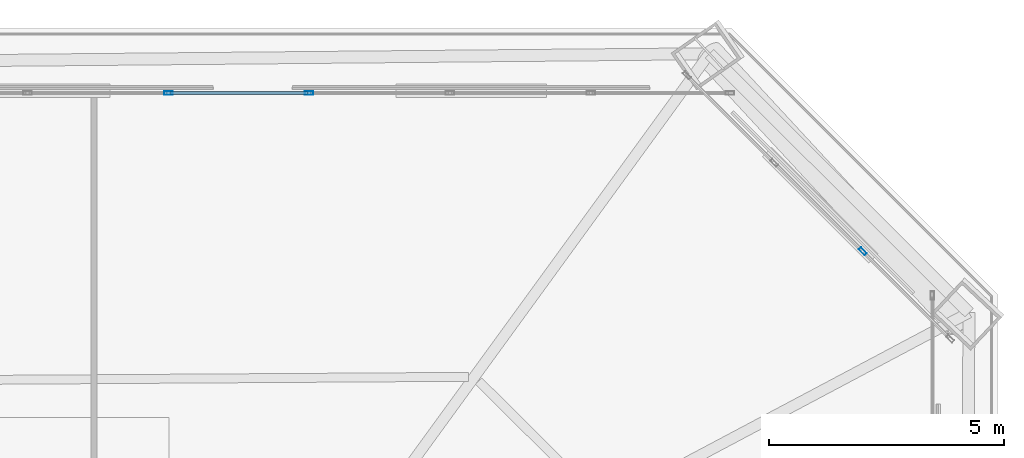
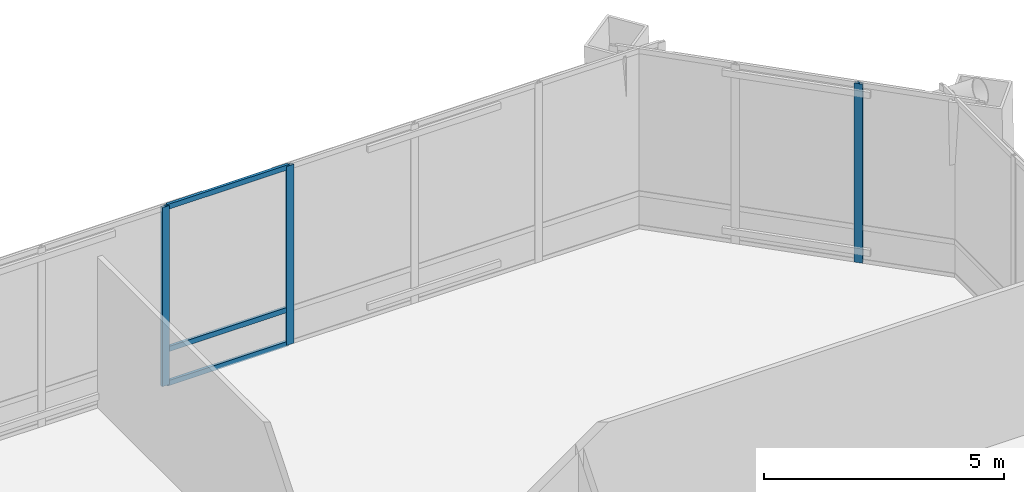
# One storey, part 37 of 48: 6 members, 2 elements without a shape of their own.
"""IFC4 building model written with IfcOpenShell, lengths in metres."""

from ifc_helpers import new_model, si_unit, direction, frame, origin, origin_2d, place, context, subcontext, project, spatial, hollow_rectangle, extrude, material, layer, layer_set, material_profile, profile_set, type_object, element, aggregate, save


model = new_model("IFC4")

# Units and contexts
model_context = context("Model", 3, precision=1e-05, world=origin(), true_north=direction((0.0, 1.0)))
body_context = subcontext(model_context, "Body", "Model", "MODEL_VIEW")
ifc_project = project(units=[si_unit("LENGTHUNIT", "METRE"), si_unit("AREAUNIT", "SQUARE_METRE"), si_unit("VOLUMEUNIT", "CUBIC_METRE"), si_unit("PLANEANGLEUNIT", "RADIAN"), si_unit("MASSUNIT", "GRAM", prefix="KILO")], contexts=[model_context])

# Site, building, storey
site_placement = place(None, origin())
site = spatial("IfcSite", under=ifc_project, at=site_placement, CompositionType="ELEMENT")
building_placement = place(site_placement, origin())
building = spatial("IfcBuilding", under=site, at=building_placement, Name="Caelvoria Tower", CompositionType="ELEMENT")
storey_placement = place(building_placement, frame((0.0, 0.0, 90.39990234375)))
storey = spatial("IfcBuildingStorey", under=building, at=storey_placement, Name="L23", CompositionType="ELEMENT", Elevation=90.39990234375)

# Curtain wall, member
ifc_material_1 = material(Name="Anodised Bronze Aluminium and Low-E Glass", Category="aluminium")
ifc_layer = layer(ifc_material_1, 0.2099609375, Name="Anodised Bronze Aluminium and Low-E Glass")
ifc_layer_set = layer_set([ifc_layer], Name="CW System 3 Sky Lobby Double-Height Acoustic Facade - Anodised Bronze Aluminium and Low-E Glass")
curtain_wall_type = type_object("IfcCurtainWallType", Name="CW System 3 Sky Lobby Double-Height Acoustic Facade", PredefinedType="NOTDEFINED", material=ifc_layer_set)
curtain_wall_1_placement = place(storey_placement, origin())
curtain_wall_1 = element("IfcCurtainWall", 1, at=curtain_wall_1_placement, inside=storey, type_object=curtain_wall_type, Name="CW-03 Curtain Wall L23-E3", PredefinedType="NOTDEFINED")
ifc_material_2 = material(Name="Anodised Bronze Architectural Aluminium", Category="aluminium")
ifc_material_profile_1 = material_profile(ifc_material_2, hollow_rectangle(XDim=0.070068359375, YDim=0.179931640625, WallThickness=0.00390625, at=origin_2d()), Name="Anodised Bronze Architectural Aluminium")
ifc_profile_set_1 = profile_set([ifc_material_profile_1], Name="CW_MULL_70X180 - Anodised Bronze Architectural Aluminium")
member_type_1 = type_object("IfcMemberType", Name="Curtain Wall Mullion 70x180 Bronze Aluminium", PredefinedType="MULLION", material=ifc_profile_set_1)
member_1_placement = place(storey_placement, frame((68.257568359375, 49.540771484375, 0.0), z_axis=(0.0, 0.0, 1.0), x_axis=(-0.707106781187, -0.707106781187, 0.0)))
member_1 = element("IfcMember", 2, at=member_1_placement, type_object=member_type_1, Name="CW-03 mullion 2", PredefinedType="MULLION", context=body_context, shape_type="SweptSolid", body=[
    extrude(hollow_rectangle(XDim=0.070068359375, YDim=0.179931640625, WallThickness=0.00390625, at=origin_2d()), origin(), (0.0, 0.0, 1.0), 4.56005859375),
])
aggregate(curtain_wall_1, [member_1])

# Curtain wall, members
curtain_wall_2_placement = place(storey_placement, origin())
curtain_wall_2 = element("IfcCurtainWall", 3, at=curtain_wall_2_placement, inside=storey, type_object=curtain_wall_type, Name="CW-03 Curtain Wall L23-E4", PredefinedType="NOTDEFINED")
member_2_placement = place(storey_placement, frame((56.482177734375, 52.9033203125, 0.0), z_axis=(0.0, 0.0, 1.0), x_axis=(0.0, -1.0, 0.0)))
member_2 = element("IfcMember", 4, at=member_2_placement, type_object=member_type_1, Name="CW-03 mullion 4", PredefinedType="MULLION", context=body_context, shape_type="SweptSolid", body=[
    extrude(hollow_rectangle(XDim=0.070068359375, YDim=0.179931640625, WallThickness=0.00390625, at=origin_2d()), origin(), (0.0, 0.0, 1.0), 4.56005859375),
])
member_3_placement = place(storey_placement, frame((53.4873046875, 52.9033203125, 0.0), z_axis=(0.0, 0.0, 1.0), x_axis=(0.0, -1.0, 0.0)))
member_3 = element("IfcMember", 5, at=member_3_placement, type_object=member_type_1, Name="CW-03 mullion 5", PredefinedType="MULLION", context=body_context, shape_type="SweptSolid", body=[
    extrude(hollow_rectangle(XDim=0.070068359375, YDim=0.179931640625, WallThickness=0.00390625, at=origin_2d()), origin(), (0.0, 0.0, 1.0), 4.56005859375),
])
ifc_material_profile_2 = material_profile(ifc_material_2, hollow_rectangle(XDim=0.06494140625, YDim=0.1298828125, WallThickness=0.00341796875, at=origin_2d()), Name="Anodised Bronze Architectural Aluminium")
ifc_profile_set_2 = profile_set([ifc_material_profile_2], Name="CW_TRAN_65X130 - Anodised Bronze Architectural Aluminium")
member_type_2 = type_object("IfcMemberType", Name="Curtain Wall Transom 65x130 Bronze Aluminium", PredefinedType="USERDEFINED", material=ifc_profile_set_2)
member_4_placement = place(storey_placement, frame((56.447021484375, 52.9033203125, 0.03271484375), z_axis=(-1.0, 0.0, 0.0), x_axis=(0.0, -1.0, 0.0)))
member_4 = element("IfcMember", 6, at=member_4_placement, type_object=member_type_2, Name="CW-03 transom 4.1", ObjectType="TRANSOM", PredefinedType="USERDEFINED", context=body_context, shape_type="SweptSolid", body=[
    extrude(hollow_rectangle(XDim=0.06494140625, YDim=0.1298828125, WallThickness=0.00341796875, at=origin_2d()), origin(), (0.0, 0.0, 1.0), 2.9248046875),
])
member_5_placement = place(storey_placement, frame((56.447021484375, 52.9033203125, 0.900146484375), z_axis=(-1.0, 0.0, 0.0), x_axis=(0.0, -1.0, 0.0)))
member_5 = element("IfcMember", 7, at=member_5_placement, type_object=member_type_2, Name="CW-03 transom 4.2", ObjectType="TRANSOM", PredefinedType="USERDEFINED", context=body_context, shape_type="SweptSolid", body=[
    extrude(hollow_rectangle(XDim=0.06494140625, YDim=0.1298828125, WallThickness=0.00341796875, at=origin_2d()), origin(), (0.0, 0.0, 1.0), 2.9248046875),
])
member_6_placement = place(storey_placement, frame((56.447021484375, 52.9033203125, 4.527587890625), z_axis=(-1.0, 0.0, 0.0), x_axis=(0.0, -1.0, 0.0)))
member_6 = element("IfcMember", 8, at=member_6_placement, type_object=member_type_2, Name="CW-03 transom 4.3", ObjectType="TRANSOM", PredefinedType="USERDEFINED", context=body_context, shape_type="SweptSolid", body=[
    extrude(hollow_rectangle(XDim=0.06494140625, YDim=0.1298828125, WallThickness=0.00341796875, at=origin_2d()), origin(), (0.0, 0.0, 1.0), 2.9248046875),
])
aggregate(curtain_wall_2, [member_2, member_3, member_4, member_5, member_6])

save(model, "model.ifc")
